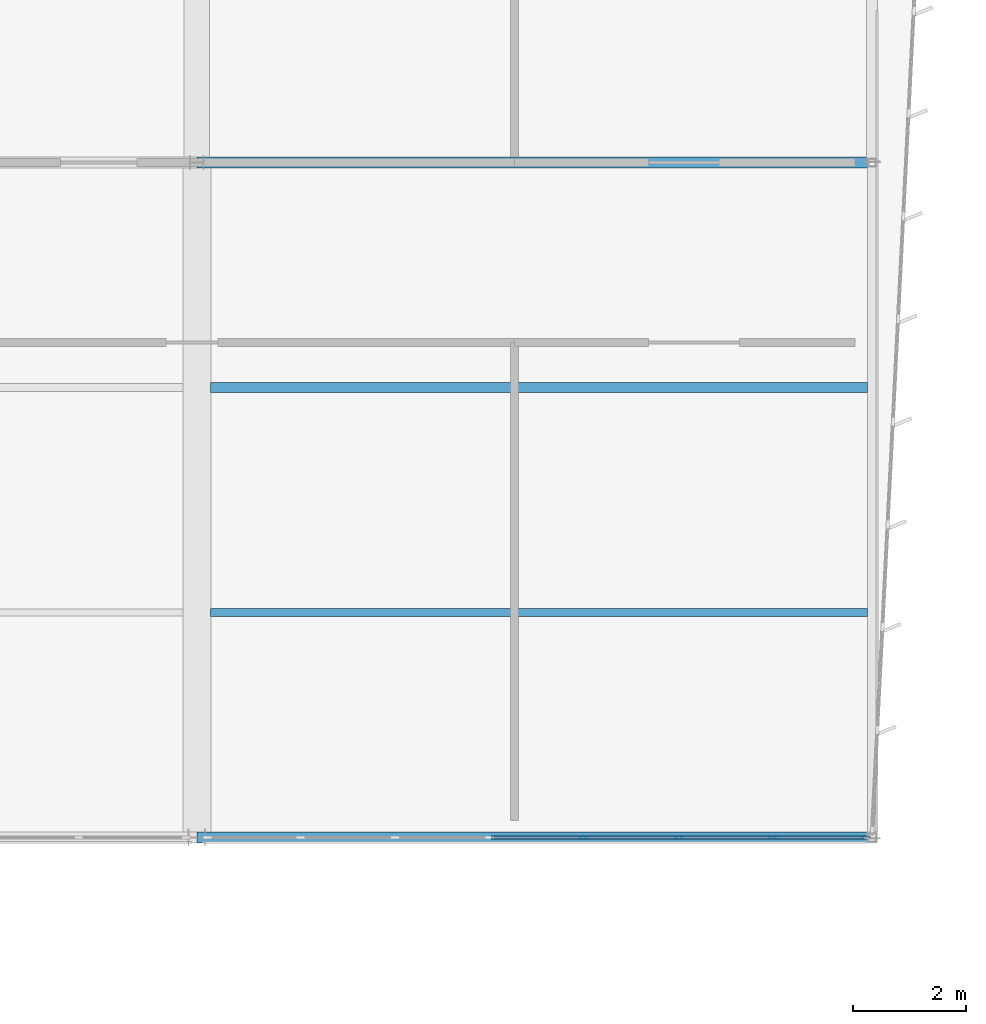
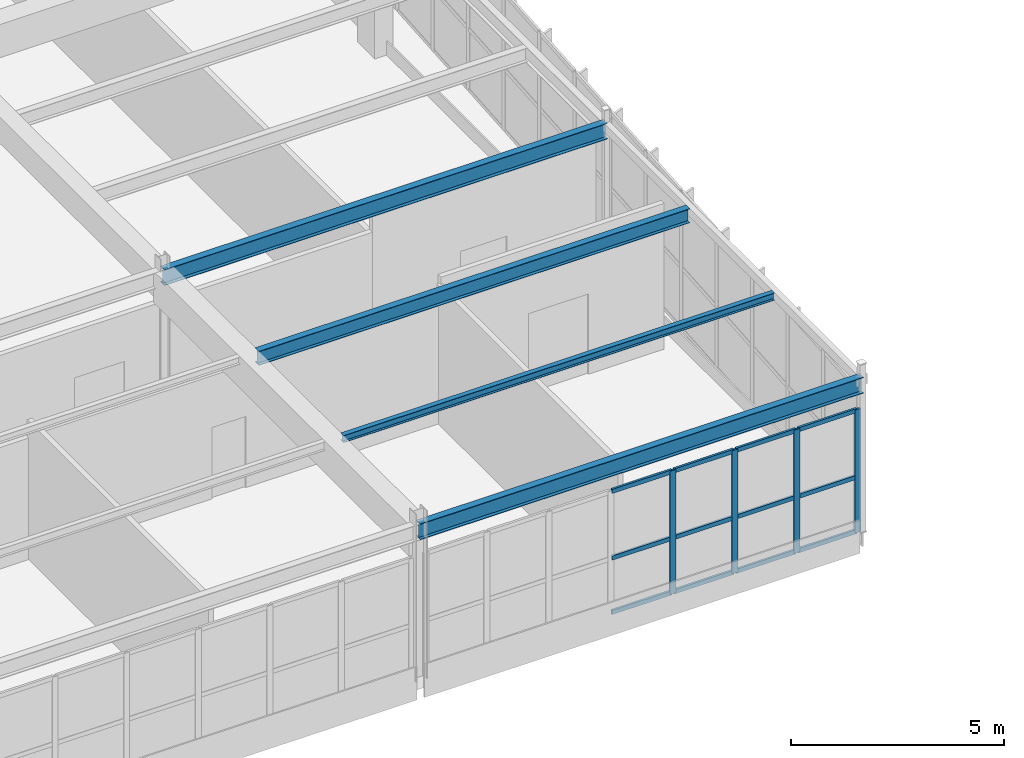
# One storey, part 103 of 186: 16 members, 4 beams, 1 element without a shape of its own.
"""IFC4 building model written with IfcOpenShell, lengths in metres."""

from ifc_helpers import new_model, si_unit, direction, frame, origin, origin_2d, place, context, subcontext, project, spatial, rectangle, i_section, extrude, material, layer, layer_set, material_profile, profile_set, type_object, element, aggregate, save


model = new_model("IFC4")

# Units and contexts
model_context = context("Model", 3, precision=1e-05, world=origin(), true_north=direction((0.0, 1.0)))
body_context = subcontext(model_context, "Body", "Model", "MODEL_VIEW")
ifc_project = project(units=[si_unit("LENGTHUNIT", "METRE"), si_unit("AREAUNIT", "SQUARE_METRE"), si_unit("VOLUMEUNIT", "CUBIC_METRE"), si_unit("PLANEANGLEUNIT", "RADIAN"), si_unit("MASSUNIT", "GRAM", prefix="KILO")], contexts=[model_context])

# Site, building, storey
site_placement = place(None, origin())
site = spatial("IfcSite", under=ifc_project, at=site_placement, CompositionType="ELEMENT")
building_placement = place(site_placement, origin())
building = spatial("IfcBuilding", under=site, at=building_placement, Name="Tarnwether General Hospital", CompositionType="ELEMENT")
storey_placement = place(building_placement, frame((0.0, 0.0, 9.60009765625)))
storey = spatial("IfcBuildingStorey", under=building, at=storey_placement, Name="L02", CompositionType="ELEMENT", Elevation=9.60009765625)

# Beams
ifc_material_1 = material(Name="Steel Grade 350 (350 MPa)", Category="steel")
ifc_material_profile_1 = material_profile(ifc_material_1, i_section(OverallWidth=0.18994140625, OverallDepth=0.45703125, WebThickness=0.009033203125, FlangeThickness=0.014404296875, at=origin_2d()), Name="460UB74.6")
ifc_profile_set_1 = profile_set([ifc_material_profile_1], Name="Steel Grade 350 (350 MPa)")
beam_type_1 = type_object("IfcBeamType", Name="BM-G09", PredefinedType="BEAM", material=ifc_profile_set_1)
beam_1_placement = place(storey_placement, frame((180.0, 81.60009765625, 4.21142578125), z_axis=(1.0, 0.0, 0.0), x_axis=(0.0, 1.0, 0.0)))
element("IfcBeam", 1, at=beam_1_placement, inside=storey, type_object=beam_type_1, Name="Primary Girder BMG-L02-18000_8160-19200_8160-1631", PredefinedType="BEAM", context=body_context, shape_type="SweptSolid", body=[
    extrude(i_section(OverallWidth=0.18994140625, OverallDepth=0.45703125, WebThickness=0.009033203125, FlangeThickness=0.014404296875, at=origin_2d()), origin(), (0.0, 0.0, 1.0), 12.0),
])
ifc_material_2 = material(Name="Steel Grade 350 (350 MPa)", Category="steel")
ifc_material_profile_2 = material_profile(ifc_material_2, i_section(OverallWidth=0.18994140625, OverallDepth=0.4541015625, WebThickness=0.008544921875, FlangeThickness=0.0126953125, at=origin_2d()), Name="460UB67.1")
ifc_profile_set_2 = profile_set([ifc_material_profile_2], Name="Steel Grade 350 (350 MPa)")
beam_type_2 = type_object("IfcBeamType", Name="BM-G10", PredefinedType="BEAM", material=ifc_profile_set_2)
beam_2_placement = place(storey_placement, frame((180.0, 93.60009765625, 4.212890625), z_axis=(1.0, 0.0, 0.0), x_axis=(0.0, 1.0, 0.0)))
element("IfcBeam", 2, at=beam_2_placement, inside=storey, type_object=beam_type_2, Name="Primary Girder BMG-L02-18000_9360-19200_9360-1633", PredefinedType="BEAM", context=body_context, shape_type="SweptSolid", body=[
    extrude(i_section(OverallWidth=0.18994140625, OverallDepth=0.4541015625, WebThickness=0.008544921875, FlangeThickness=0.0126953125, at=origin_2d()), origin(), (0.0, 0.0, 1.0), 12.0),
])
ifc_material_3 = material(Name="Steel Grade 350 (350 MPa)", Category="steel")
ifc_material_profile_3 = material_profile(ifc_material_3, i_section(OverallWidth=0.177978515625, OverallDepth=0.406005859375, WebThickness=0.0078125, FlangeThickness=0.0126953125, at=origin_2d()), Name="410UB59.7")
ifc_profile_set_3 = profile_set([ifc_material_profile_3], Name="Steel Grade 350 (350 MPa)")
beam_type_3 = type_object("IfcBeamType", Name="BM-J01", PredefinedType="JOIST", material=ifc_profile_set_3)
beam_3_placement = place(storey_placement, frame((180.243896484375, 89.60009765625, 4.23681640625), z_axis=(1.0, 0.0, 0.0), x_axis=(0.0, 1.0, 0.0)))
element("IfcBeam", 3, at=beam_3_placement, inside=storey, type_object=beam_type_3, Name="Composite Floor Joist BMG-L02-18024_8960-19192_8960-1749", PredefinedType="JOIST", context=body_context, shape_type="SweptSolid", body=[
    extrude(i_section(OverallWidth=0.177978515625, OverallDepth=0.406005859375, WebThickness=0.0078125, FlangeThickness=0.0126953125, at=origin_2d()), origin(), (0.0, 0.0, 1.0), 11.676025390625),
])
ifc_material_4 = material(Name="Steel Grade 350 (350 MPa)", Category="steel")
ifc_material_profile_4 = material_profile(ifc_material_4, i_section(OverallWidth=0.134033203125, OverallDepth=0.20703125, WebThickness=0.00634765625, FlangeThickness=0.009521484375, at=origin_2d()), Name="200UB29.8")
ifc_profile_set_4 = profile_set([ifc_material_profile_4], Name="Steel Grade 350 (350 MPa)")
beam_type_4 = type_object("IfcBeamType", Name="BM-J12", PredefinedType="JOIST", material=ifc_profile_set_4)
beam_4_placement = place(storey_placement, frame((180.243896484375, 85.60009765625, 4.33642578125), z_axis=(1.0, 0.0, 0.0), x_axis=(0.0, 1.0, 0.0)))
element("IfcBeam", 4, at=beam_4_placement, inside=storey, type_object=beam_type_4, Name="Composite Floor Joist BMG-L02-18024_8560-19192_8560-1748", PredefinedType="JOIST", context=body_context, shape_type="SweptSolid", body=[
    extrude(i_section(OverallWidth=0.134033203125, OverallDepth=0.20703125, WebThickness=0.00634765625, FlangeThickness=0.009521484375, at=origin_2d()), origin(), (0.0, 0.0, 1.0), 11.676025390625),
])

# Curtain wall, members
ifc_material_5 = material(Name="Anodised aluminium", Category="aluminium")
ifc_layer = layer(ifc_material_5, 0.159912109375)
ifc_layer_set = layer_set([ifc_layer], Name="Anodised aluminium")
curtain_wall_type = type_object("IfcCurtainWallType", Name="CW-17", PredefinedType="NOTDEFINED", material=ifc_layer_set)
curtain_wall_placement = place(storey_placement, origin())
curtain_wall = element("IfcCurtainWall", 5, at=curtain_wall_placement, inside=storey, type_object=curtain_wall_type, Name="Curtain Wall CWG-L02-1919_816-0466", PredefinedType="NOTDEFINED")
ifc_material_6 = material(Name="Anodised aluminium", Category="aluminium")
ifc_material_profile_5 = material_profile(ifc_material_6, rectangle(XDim=0.06005859375, YDim=0.159912109375, at=origin_2d()), Name="ALU-MUL-60x160")
ifc_profile_set_5 = profile_set([ifc_material_profile_5], Name="Anodised aluminium")
member_type_1 = type_object("IfcMemberType", Name="CW-ML1", PredefinedType="MULLION", material=ifc_profile_set_5)
member_1_placement = place(storey_placement, frame((191.886962890625, 81.60009765625, 0.0), z_axis=(0.0, 0.0, 1.0), x_axis=(0.0, -1.0, 0.0)))
member_1 = element("IfcMember", 6, at=member_1_placement, type_object=member_type_1, Name="CW-17 mullion 1", PredefinedType="MULLION", context=body_context, shape_type="SweptSolid", body=[
    extrude(rectangle(XDim=0.06005859375, YDim=0.159912109375, at=origin_2d()), origin(), (0.0, 0.0, 1.0), 3.52490234375),
])
member_2_placement = place(storey_placement, frame((190.23779296875, 81.60009765625, 0.0), z_axis=(0.0, 0.0, 1.0), x_axis=(0.0, -1.0, 0.0)))
member_2 = element("IfcMember", 7, at=member_2_placement, type_object=member_type_1, Name="CW-17 mullion 2", PredefinedType="MULLION", context=body_context, shape_type="SweptSolid", body=[
    extrude(rectangle(XDim=0.06005859375, YDim=0.159912109375, at=origin_2d()), origin(), (0.0, 0.0, 1.0), 3.52490234375),
])
member_3_placement = place(storey_placement, frame((188.558349609375, 81.60009765625, 0.0), z_axis=(0.0, 0.0, 1.0), x_axis=(0.0, -1.0, 0.0)))
member_3 = element("IfcMember", 8, at=member_3_placement, type_object=member_type_1, Name="CW-17 mullion 3", PredefinedType="MULLION", context=body_context, shape_type="SweptSolid", body=[
    extrude(rectangle(XDim=0.06005859375, YDim=0.159912109375, at=origin_2d()), origin(), (0.0, 0.0, 1.0), 3.52490234375),
])
member_4_placement = place(storey_placement, frame((186.879150390625, 81.60009765625, 0.0), z_axis=(0.0, 0.0, 1.0), x_axis=(0.0, -1.0, 0.0)))
member_4 = element("IfcMember", 9, at=member_4_placement, type_object=member_type_1, Name="CW-17 mullion 4", PredefinedType="MULLION", context=body_context, shape_type="SweptSolid", body=[
    extrude(rectangle(XDim=0.06005859375, YDim=0.159912109375, at=origin_2d()), origin(), (0.0, 0.0, 1.0), 3.52490234375),
])
ifc_material_7 = material(Name="Anodised aluminium", Category="aluminium")
ifc_material_profile_6 = material_profile(ifc_material_7, rectangle(XDim=0.06005859375, YDim=0.1201171875, at=origin_2d()), Name="ALU-TRN-60x120")
ifc_profile_set_6 = profile_set([ifc_material_profile_6], Name="Anodised aluminium")
member_type_2 = type_object("IfcMemberType", Name="CW-TR1", PredefinedType="USERDEFINED", material=ifc_profile_set_6)
member_5_placement = place(storey_placement, frame((191.85693359375, 81.60009765625, 0.02978515625), z_axis=(-1.0, 0.0, 0.0), x_axis=(0.0, -1.0, 0.0)))
member_5 = element("IfcMember", 10, at=member_5_placement, type_object=member_type_2, Name="CW-17 transom 1.1", ObjectType="TRANSOM", PredefinedType="USERDEFINED", context=body_context, shape_type="SweptSolid", body=[
    extrude(rectangle(XDim=0.06005859375, YDim=0.1201171875, at=origin_2d()), origin(), (0.0, 0.0, 1.0), 1.589111328125),
])
member_6_placement = place(storey_placement, frame((191.85693359375, 81.60009765625, 1.586181640625), z_axis=(-1.0, 0.0, 0.0), x_axis=(0.0, -1.0, 0.0)))
member_6 = element("IfcMember", 11, at=member_6_placement, type_object=member_type_2, Name="CW-17 transom 1.2", ObjectType="TRANSOM", PredefinedType="USERDEFINED", context=body_context, shape_type="SweptSolid", body=[
    extrude(rectangle(XDim=0.06005859375, YDim=0.1201171875, at=origin_2d()), origin(), (0.0, 0.0, 1.0), 1.589111328125),
])
member_7_placement = place(storey_placement, frame((191.85693359375, 81.60009765625, 3.494873046875), z_axis=(-1.0, 0.0, 0.0), x_axis=(0.0, -1.0, 0.0)))
member_7 = element("IfcMember", 12, at=member_7_placement, type_object=member_type_2, Name="CW-17 transom 1.3", ObjectType="TRANSOM", PredefinedType="USERDEFINED", context=body_context, shape_type="SweptSolid", body=[
    extrude(rectangle(XDim=0.06005859375, YDim=0.1201171875, at=origin_2d()), origin(), (0.0, 0.0, 1.0), 1.589111328125),
])
member_8_placement = place(storey_placement, frame((190.207763671875, 81.60009765625, 0.02978515625), z_axis=(-1.0, 0.0, 0.0), x_axis=(0.0, -1.0, 0.0)))
member_8 = element("IfcMember", 13, at=member_8_placement, type_object=member_type_2, Name="CW-17 transom 2.1", ObjectType="TRANSOM", PredefinedType="USERDEFINED", context=body_context, shape_type="SweptSolid", body=[
    extrude(rectangle(XDim=0.06005859375, YDim=0.1201171875, at=origin_2d()), origin(), (0.0, 0.0, 1.0), 1.619384765625),
])
member_9_placement = place(storey_placement, frame((190.207763671875, 81.60009765625, 1.586181640625), z_axis=(-1.0, 0.0, 0.0), x_axis=(0.0, -1.0, 0.0)))
member_9 = element("IfcMember", 14, at=member_9_placement, type_object=member_type_2, Name="CW-17 transom 2.2", ObjectType="TRANSOM", PredefinedType="USERDEFINED", context=body_context, shape_type="SweptSolid", body=[
    extrude(rectangle(XDim=0.06005859375, YDim=0.1201171875, at=origin_2d()), origin(), (0.0, 0.0, 1.0), 1.619384765625),
])
member_10_placement = place(storey_placement, frame((190.207763671875, 81.60009765625, 3.494873046875), z_axis=(-1.0, 0.0, 0.0), x_axis=(0.0, -1.0, 0.0)))
member_10 = element("IfcMember", 15, at=member_10_placement, type_object=member_type_2, Name="CW-17 transom 2.3", ObjectType="TRANSOM", PredefinedType="USERDEFINED", context=body_context, shape_type="SweptSolid", body=[
    extrude(rectangle(XDim=0.06005859375, YDim=0.1201171875, at=origin_2d()), origin(), (0.0, 0.0, 1.0), 1.619384765625),
])
member_11_placement = place(storey_placement, frame((188.5283203125, 81.60009765625, 0.02978515625), z_axis=(-1.0, 0.0, 0.0), x_axis=(0.0, -1.0, 0.0)))
member_11 = element("IfcMember", 16, at=member_11_placement, type_object=member_type_2, Name="CW-17 transom 3.1", ObjectType="TRANSOM", PredefinedType="USERDEFINED", context=body_context, shape_type="SweptSolid", body=[
    extrude(rectangle(XDim=0.06005859375, YDim=0.1201171875, at=origin_2d()), origin(), (0.0, 0.0, 1.0), 1.619140625),
])
member_12_placement = place(storey_placement, frame((188.5283203125, 81.60009765625, 1.586181640625), z_axis=(-1.0, 0.0, 0.0), x_axis=(0.0, -1.0, 0.0)))
member_12 = element("IfcMember", 17, at=member_12_placement, type_object=member_type_2, Name="CW-17 transom 3.2", ObjectType="TRANSOM", PredefinedType="USERDEFINED", context=body_context, shape_type="SweptSolid", body=[
    extrude(rectangle(XDim=0.06005859375, YDim=0.1201171875, at=origin_2d()), origin(), (0.0, 0.0, 1.0), 1.619140625),
])
member_13_placement = place(storey_placement, frame((188.5283203125, 81.60009765625, 3.494873046875), z_axis=(-1.0, 0.0, 0.0), x_axis=(0.0, -1.0, 0.0)))
member_13 = element("IfcMember", 18, at=member_13_placement, type_object=member_type_2, Name="CW-17 transom 3.3", ObjectType="TRANSOM", PredefinedType="USERDEFINED", context=body_context, shape_type="SweptSolid", body=[
    extrude(rectangle(XDim=0.06005859375, YDim=0.1201171875, at=origin_2d()), origin(), (0.0, 0.0, 1.0), 1.619140625),
])
member_14_placement = place(storey_placement, frame((186.84912109375, 81.60009765625, 0.02978515625), z_axis=(-1.0, 0.0, 0.0), x_axis=(0.0, -1.0, 0.0)))
member_14 = element("IfcMember", 19, at=member_14_placement, type_object=member_type_2, Name="CW-17 transom 4.1", ObjectType="TRANSOM", PredefinedType="USERDEFINED", context=body_context, shape_type="SweptSolid", body=[
    extrude(rectangle(XDim=0.06005859375, YDim=0.1201171875, at=origin_2d()), origin(), (0.0, 0.0, 1.0), 1.619384765625),
])
member_15_placement = place(storey_placement, frame((186.84912109375, 81.60009765625, 1.586181640625), z_axis=(-1.0, 0.0, 0.0), x_axis=(0.0, -1.0, 0.0)))
member_15 = element("IfcMember", 20, at=member_15_placement, type_object=member_type_2, Name="CW-17 transom 4.2", ObjectType="TRANSOM", PredefinedType="USERDEFINED", context=body_context, shape_type="SweptSolid", body=[
    extrude(rectangle(XDim=0.06005859375, YDim=0.1201171875, at=origin_2d()), origin(), (0.0, 0.0, 1.0), 1.619384765625),
])
member_16_placement = place(storey_placement, frame((186.84912109375, 81.60009765625, 3.494873046875), z_axis=(-1.0, 0.0, 0.0), x_axis=(0.0, -1.0, 0.0)))
member_16 = element("IfcMember", 21, at=member_16_placement, type_object=member_type_2, Name="CW-17 transom 4.3", ObjectType="TRANSOM", PredefinedType="USERDEFINED", context=body_context, shape_type="SweptSolid", body=[
    extrude(rectangle(XDim=0.06005859375, YDim=0.1201171875, at=origin_2d()), origin(), (0.0, 0.0, 1.0), 1.619384765625),
])
aggregate(curtain_wall, [member_1, member_2, member_3, member_4, member_5, member_6, member_7, member_8, member_9, member_10, member_11, member_12, member_13, member_14, member_15, member_16])

save(model, "model.ifc")
